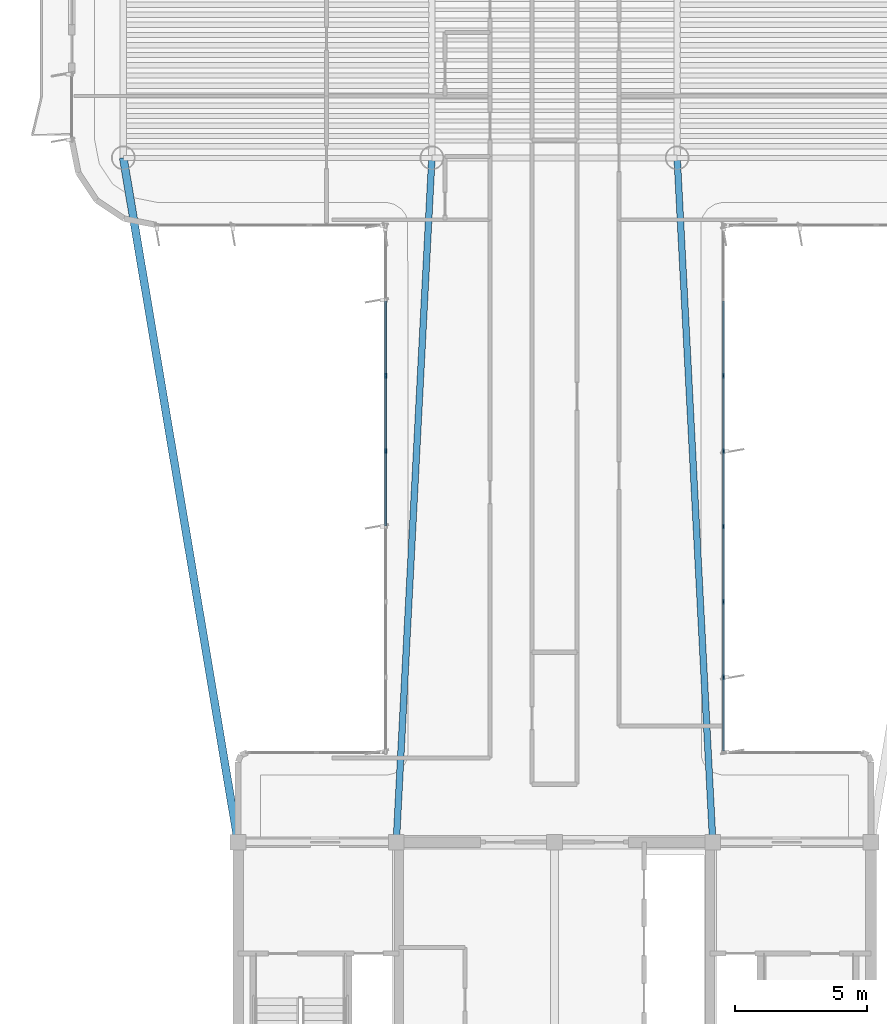
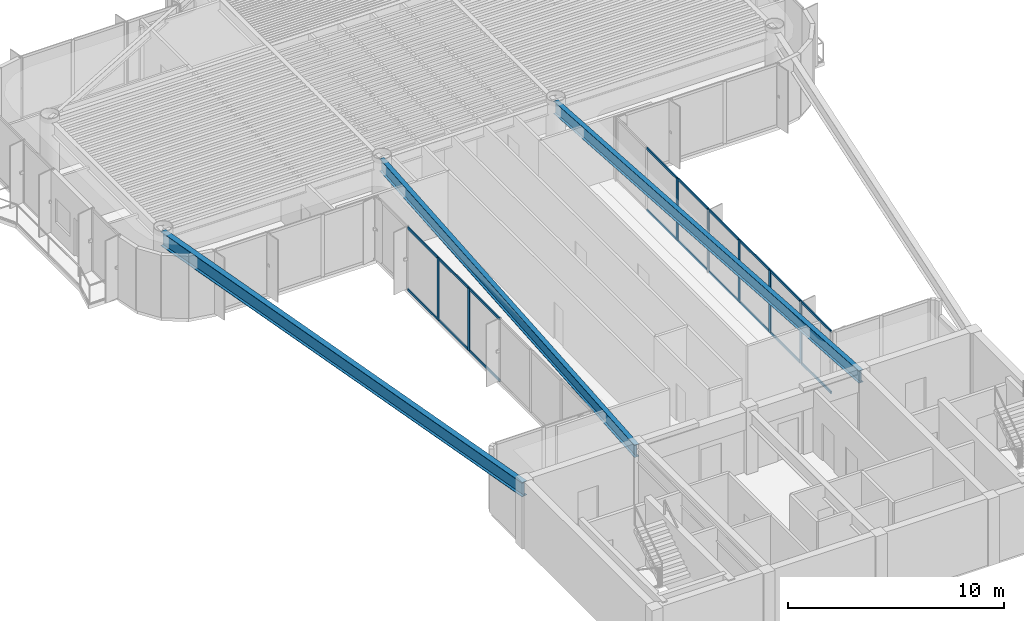
# One storey, part 3 of 15: 25 members, 3 beams, 2 elements without a shape of their own.
"""IFC4 building model written with IfcOpenShell, lengths in metres."""

from ifc_helpers import new_model, si_unit, direction, frame, origin, origin_2d, place, context, subcontext, project, spatial, rectangle, i_section, extrude, source, transform, mapped, material, layer, layer_set, material_profile, profile_set, type_object, element, aggregate, save


model = new_model("IFC4")

# Units and contexts
model_context = context("Model", 3, precision=1e-05, world=origin(), true_north=direction((0.0, 1.0)))
body_context = subcontext(model_context, "Body", "Model", "MODEL_VIEW")
ifc_project = project(units=[si_unit("LENGTHUNIT", "METRE"), si_unit("AREAUNIT", "SQUARE_METRE"), si_unit("VOLUMEUNIT", "CUBIC_METRE"), si_unit("PLANEANGLEUNIT", "RADIAN"), si_unit("MASSUNIT", "GRAM", prefix="KILO")], contexts=[model_context])

# Site, building, storey
site_placement = place(None, origin())
site = spatial("IfcSite", under=ifc_project, at=site_placement, CompositionType="ELEMENT")
building_placement = place(site_placement, origin())
building = spatial("IfcBuilding", under=site, at=building_placement, Name="Brelvock Crest Care Tower", CompositionType="ELEMENT")
storey_placement = place(building_placement, frame((0.0, 0.0, 260.820068359375)))
storey = spatial("IfcBuildingStorey", under=building, at=storey_placement, Name="L66", CompositionType="ELEMENT", Elevation=260.820068359375)

# Beams
ifc_material_1 = material(Name="Steel Grade 350", Category="steel")
ifc_material_profile_1 = material_profile(ifc_material_1, i_section(OverallWidth=0.25, OverallDepth=0.699951171875, WebThickness=0.011962890625, FlangeThickness=0.02001953125, at=origin_2d()), Name="700WB150")
ifc_profile_set_1 = profile_set([ifc_material_profile_1], Name="Steel Grade 350")
beam_type_1 = type_object("IfcBeamType", Name="BM-G4", PredefinedType="BEAM", material=ifc_profile_set_1)
shared_shape_1 = source(origin(), body_context, "Body", "SweptSolid", [
    extrude(i_section(OverallWidth=0.25, OverallDepth=0.699951171875, WebThickness=0.011962890625, FlangeThickness=0.02001953125, at=origin_2d()), origin(), (0.0, 0.0, 1.0), 25.985107421875),
])
for number, where, z_axis, x_axis, name in (
    (1, (30.0, 18.0, 3.179931640625), (0.051956711656, 0.998649337913, 0.0), (-0.998649337913, 0.051956711656, 0.0), "BM-THRW-L66"),
    (2, (42.0, 18.0, 3.179931640625), (-0.051956711656, 0.998649337913, 0.0), (-0.998649337913, -0.051956711656, 0.0), "BM-THRE-L66"),
):
    element("IfcBeam", number, at=place(storey_placement, frame(where, z_axis=z_axis, x_axis=x_axis)), inside=storey, type_object=beam_type_1, Name=name, PredefinedType="BEAM", context=body_context, shape_type="MappedRepresentation", body=[
        mapped(shared_shape_1, transform((0.0, 0.0, 0.0), x_axis=(1.0, 0.0, 0.0), y_axis=(0.0, 1.0, 0.0), z_axis=(0.0, 0.0, 1.0), scale=1.0)),
    ])
ifc_material_profile_2 = material_profile(ifc_material_1, i_section(OverallWidth=0.300048828125, OverallDepth=0.800048828125, WebThickness=0.013916015625, FlangeThickness=0.02197265625, at=origin_2d()), Name="800WB192")
ifc_profile_set_2 = profile_set([ifc_material_profile_2], Name="Steel Grade 350")
beam_type_2 = type_object("IfcBeamType", Name="BM-G5", PredefinedType="BEAM", material=ifc_profile_set_2)
shared_shape_2 = source(origin(), body_context, "Body", "SweptSolid", [
    extrude(i_section(OverallWidth=0.300048828125, OverallDepth=0.800048828125, WebThickness=0.013916015625, FlangeThickness=0.02197265625, at=origin_2d()), origin(), (0.0, 0.0, 1.0), 26.31201171875),
])
beam_placement = place(storey_placement, frame((24.0, 18.0, 3.1298828125), z_axis=(-0.165327282709, 0.986238758918, 0.0), x_axis=(-0.986238758918, -0.165327282709, 0.0)))
element("IfcBeam", 3, at=beam_placement, inside=storey, type_object=beam_type_2, Name="BM-THRO-W-L66", PredefinedType="BEAM", context=body_context, shape_type="MappedRepresentation", body=[
    mapped(shared_shape_2, transform((0.0, 0.0, 0.0), x_axis=(1.0, 0.0, 0.0), y_axis=(0.0, 1.0, 0.0), z_axis=(0.0, 0.0, 1.0), scale=1.0)),
])

# Curtain wall, members
ifc_material_2 = material(Name="Dark Glass Double Glazed Low-E", Category="glass")
ifc_layer = layer(ifc_material_2, 0.239990234375, Name="CWS-5")
ifc_layer_set = layer_set([ifc_layer], Name="Dark Glass Double Glazed Low-E")
curtain_wall_type = type_object("IfcCurtainWallType", Name="CWS-5", PredefinedType="NOTDEFINED", material=ifc_layer_set)
curtain_wall_1_placement = place(storey_placement, origin())
curtain_wall_1 = element("IfcCurtainWall", 4, at=curtain_wall_1_placement, inside=storey, type_object=curtain_wall_type, Name="L66 Curtain Wall E11", PredefinedType="NOTDEFINED")
ifc_material_3 = material(Name="Aluminium 6063-T6", Category="aluminium")
ifc_material_profile_3 = material_profile(ifc_material_3, rectangle(XDim=0.06005859375, YDim=0.179931640625, at=origin_2d()), Name="ALU60x180")
ifc_profile_set_3 = profile_set([ifc_material_profile_3], Name="Aluminium 6063-T6")
member_type_1 = type_object("IfcMemberType", Name="CWM-2", PredefinedType="MULLION", material=ifc_profile_set_3)
shared_shape_3 = source(origin(), body_context, "Body", "SweptSolid", [
    extrude(rectangle(XDim=0.06005859375, YDim=0.179931640625, at=origin_2d()), origin(), (0.0, 0.0, 1.0), 3.530029296875),
])
member_1_placement = place(storey_placement, frame((29.60009765625, 32.82861328125, 0.0), z_axis=(0.0, 0.0, 1.0), x_axis=(-1.0, 0.0, 0.0)))
member_1 = element("IfcMember", 5, at=member_1_placement, type_object=member_type_1, Name="CW-5 mullion 5", PredefinedType="MULLION", context=body_context, shape_type="MappedRepresentation", body=[
    mapped(shared_shape_3, transform((0.0, 0.0, 0.0), x_axis=(1.0, 0.0, 0.0), y_axis=(0.0, 1.0, 0.0), z_axis=(0.0, 0.0, 1.0), scale=1.0)),
])
member_2_placement = place(storey_placement, frame((29.60009765625, 35.685791015625, 0.0), z_axis=(0.0, 0.0, 1.0), x_axis=(-1.0, 0.0, 0.0)))
member_2 = element("IfcMember", 6, at=member_2_placement, type_object=member_type_1, Name="CW-5 mullion 6", PredefinedType="MULLION", context=body_context, shape_type="MappedRepresentation", body=[
    mapped(shared_shape_3, transform((0.0, 0.0, 0.0), x_axis=(1.0, 0.0, 0.0), y_axis=(0.0, 1.0, 0.0), z_axis=(0.0, 0.0, 1.0), scale=1.0)),
])

curtain_wall_2_placement = place(storey_placement, origin())
curtain_wall_2 = element("IfcCurtainWall", 7, at=curtain_wall_2_placement, inside=storey, type_object=curtain_wall_type, Name="L66 Curtain Wall E45", PredefinedType="NOTDEFINED")
member_3_placement = place(storey_placement, frame((42.39990234375, 35.685791015625, 0.0), z_axis=(0.0, 0.0, 1.0), x_axis=(1.0, 0.0, 0.0)))
member_3 = element("IfcMember", 8, at=member_3_placement, type_object=member_type_1, Name="CW-5 mullion 3", PredefinedType="MULLION", context=body_context, shape_type="MappedRepresentation", body=[
    mapped(shared_shape_3, transform((0.0, 0.0, 0.0), x_axis=(1.0, 0.0, 0.0), y_axis=(0.0, 1.0, 0.0), z_axis=(0.0, 0.0, 1.0), scale=1.0)),
])
member_4_placement = place(storey_placement, frame((42.39990234375, 32.82861328125, 0.0), z_axis=(0.0, 0.0, 1.0), x_axis=(1.0, 0.0, 0.0)))
member_4 = element("IfcMember", 9, at=member_4_placement, type_object=member_type_1, Name="CW-5 mullion 4", PredefinedType="MULLION", context=body_context, shape_type="MappedRepresentation", body=[
    mapped(shared_shape_3, transform((0.0, 0.0, 0.0), x_axis=(1.0, 0.0, 0.0), y_axis=(0.0, 1.0, 0.0), z_axis=(0.0, 0.0, 1.0), scale=1.0)),
])
member_5_placement = place(storey_placement, frame((42.39990234375, 29.971435546875, 0.0), z_axis=(0.0, 0.0, 1.0), x_axis=(1.0, 0.0, 0.0)))
member_5 = element("IfcMember", 10, at=member_5_placement, type_object=member_type_1, Name="CW-5 mullion 5", PredefinedType="MULLION", context=body_context, shape_type="MappedRepresentation", body=[
    mapped(shared_shape_3, transform((0.0, 0.0, 0.0), x_axis=(1.0, 0.0, 0.0), y_axis=(0.0, 1.0, 0.0), z_axis=(0.0, 0.0, 1.0), scale=1.0)),
])
member_6_placement = place(storey_placement, frame((42.39990234375, 27.1142578125, 0.0), z_axis=(0.0, 0.0, 1.0), x_axis=(1.0, 0.0, 0.0)))
member_6 = element("IfcMember", 11, at=member_6_placement, type_object=member_type_1, Name="CW-5 mullion 6", PredefinedType="MULLION", context=body_context, shape_type="MappedRepresentation", body=[
    mapped(shared_shape_3, transform((0.0, 0.0, 0.0), x_axis=(1.0, 0.0, 0.0), y_axis=(0.0, 1.0, 0.0), z_axis=(0.0, 0.0, 1.0), scale=1.0)),
])
member_7_placement = place(storey_placement, frame((42.39990234375, 24.257080078125, 0.0), z_axis=(0.0, 0.0, 1.0), x_axis=(1.0, 0.0, 0.0)))
member_7 = element("IfcMember", 12, at=member_7_placement, type_object=member_type_1, Name="CW-5 mullion 7", PredefinedType="MULLION", context=body_context, shape_type="MappedRepresentation", body=[
    mapped(shared_shape_3, transform((0.0, 0.0, 0.0), x_axis=(1.0, 0.0, 0.0), y_axis=(0.0, 1.0, 0.0), z_axis=(0.0, 0.0, 1.0), scale=1.0)),
])
ifc_material_profile_4 = material_profile(ifc_material_3, rectangle(XDim=0.06005859375, YDim=0.139892578125, at=origin_2d()), Name="ALU60x140")
ifc_profile_set_4 = profile_set([ifc_material_profile_4], Name="Aluminium 6063-T6")
member_type_2 = type_object("IfcMemberType", Name="CWT-2", PredefinedType="USERDEFINED", material=ifc_profile_set_4)
shared_shape_4 = source(origin(), body_context, "Body", "SweptSolid", [
    extrude(rectangle(XDim=0.06005859375, YDim=0.139892578125, at=origin_2d()), origin(), (0.0, 0.0, 1.0), 2.76708984375),
])
member_8_placement = place(storey_placement, frame((42.39990234375, 24.22705078125, 0.030029296875), z_axis=(0.0, -1.0, 0.0), x_axis=(1.0, 0.0, 0.0)))
member_8 = element("IfcMember", 13, at=member_8_placement, type_object=member_type_2, Name="CW-5 transom 7.1", ObjectType="TRANSOM", PredefinedType="USERDEFINED", context=body_context, shape_type="MappedRepresentation", body=[
    mapped(shared_shape_4, transform((0.0, 0.0, 0.0), x_axis=(1.0, 0.0, 0.0), y_axis=(0.0, 1.0, 0.0), z_axis=(0.0, 0.0, 1.0), scale=1.0)),
])
member_9_placement = place(storey_placement, frame((42.39990234375, 24.22705078125, 3.5), z_axis=(0.0, -1.0, 0.0), x_axis=(1.0, 0.0, 0.0)))
member_9 = element("IfcMember", 14, at=member_9_placement, type_object=member_type_2, Name="CW-5 transom 7.2", ObjectType="TRANSOM", PredefinedType="USERDEFINED", context=body_context, shape_type="MappedRepresentation", body=[
    mapped(shared_shape_4, transform((0.0, 0.0, 0.0), x_axis=(1.0, 0.0, 0.0), y_axis=(0.0, 1.0, 0.0), z_axis=(0.0, 0.0, 1.0), scale=1.0)),
])

# Member
shared_shape_5 = source(origin(), body_context, "Body", "SweptSolid", [
    extrude(rectangle(XDim=0.06005859375, YDim=0.139892578125, at=origin_2d()), origin(), (0.0, 0.0, 1.0), 2.797119140625),
])
member_10_placement = place(storey_placement, frame((29.60009765625, 30.00146484375, 0.030029296875), z_axis=(0.0, 1.0, 0.0), x_axis=(-1.0, 0.0, 0.0)))
member_10 = element("IfcMember", 15, at=member_10_placement, type_object=member_type_2, Name="CW-5 transom 4.1", ObjectType="TRANSOM", PredefinedType="USERDEFINED", context=body_context, shape_type="MappedRepresentation", body=[
    mapped(shared_shape_5, transform((0.0, 0.0, 0.0), x_axis=(1.0, 0.0, 0.0), y_axis=(0.0, 1.0, 0.0), z_axis=(0.0, 0.0, 1.0), scale=1.0)),
])

member_11_placement = place(storey_placement, frame((29.60009765625, 30.00146484375, 3.5), z_axis=(0.0, 1.0, 0.0), x_axis=(-1.0, 0.0, 0.0)))
member_11 = element("IfcMember", 16, at=member_11_placement, type_object=member_type_2, Name="CW-5 transom 4.2", ObjectType="TRANSOM", PredefinedType="USERDEFINED", context=body_context, shape_type="MappedRepresentation", body=[
    mapped(shared_shape_5, transform((0.0, 0.0, 0.0), x_axis=(1.0, 0.0, 0.0), y_axis=(0.0, 1.0, 0.0), z_axis=(0.0, 0.0, 1.0), scale=1.0)),
])

member_12_placement = place(storey_placement, frame((29.60009765625, 32.858642578125, 0.030029296875), z_axis=(0.0, 1.0, 0.0), x_axis=(-1.0, 0.0, 0.0)))
member_12 = element("IfcMember", 17, at=member_12_placement, type_object=member_type_2, Name="CW-5 transom 5.1", ObjectType="TRANSOM", PredefinedType="USERDEFINED", context=body_context, shape_type="MappedRepresentation", body=[
    mapped(shared_shape_5, transform((0.0, 0.0, 0.0), x_axis=(1.0, 0.0, 0.0), y_axis=(0.0, 1.0, 0.0), z_axis=(0.0, 0.0, 1.0), scale=1.0)),
])

member_13_placement = place(storey_placement, frame((29.60009765625, 32.858642578125, 3.5), z_axis=(0.0, 1.0, 0.0), x_axis=(-1.0, 0.0, 0.0)))
member_13 = element("IfcMember", 18, at=member_13_placement, type_object=member_type_2, Name="CW-5 transom 5.2", ObjectType="TRANSOM", PredefinedType="USERDEFINED", context=body_context, shape_type="MappedRepresentation", body=[
    mapped(shared_shape_5, transform((0.0, 0.0, 0.0), x_axis=(1.0, 0.0, 0.0), y_axis=(0.0, 1.0, 0.0), z_axis=(0.0, 0.0, 1.0), scale=1.0)),
])

member_14_placement = place(storey_placement, frame((29.60009765625, 35.7158203125, 0.030029296875), z_axis=(0.0, 1.0, 0.0), x_axis=(-1.0, 0.0, 0.0)))
member_14 = element("IfcMember", 19, at=member_14_placement, type_object=member_type_2, Name="CW-5 transom 6.1", ObjectType="TRANSOM", PredefinedType="USERDEFINED", context=body_context, shape_type="MappedRepresentation", body=[
    mapped(shared_shape_5, transform((0.0, 0.0, 0.0), x_axis=(1.0, 0.0, 0.0), y_axis=(0.0, 1.0, 0.0), z_axis=(0.0, 0.0, 1.0), scale=1.0)),
])

member_15_placement = place(storey_placement, frame((29.60009765625, 35.7158203125, 3.5), z_axis=(0.0, 1.0, 0.0), x_axis=(-1.0, 0.0, 0.0)))
member_15 = element("IfcMember", 20, at=member_15_placement, type_object=member_type_2, Name="CW-5 transom 6.2", ObjectType="TRANSOM", PredefinedType="USERDEFINED", context=body_context, shape_type="MappedRepresentation", body=[
    mapped(shared_shape_5, transform((0.0, 0.0, 0.0), x_axis=(1.0, 0.0, 0.0), y_axis=(0.0, 1.0, 0.0), z_axis=(0.0, 0.0, 1.0), scale=1.0)),
])

aggregate(curtain_wall_1, [member_1, member_2, member_10, member_11, member_12, member_13, member_14, member_15])

member_16_placement = place(storey_placement, frame((42.39990234375, 38.512939453125, 0.030029296875), z_axis=(0.0, -1.0, 0.0), x_axis=(1.0, 0.0, 0.0)))
member_16 = element("IfcMember", 21, at=member_16_placement, type_object=member_type_2, Name="CW-5 transom 2.1", ObjectType="TRANSOM", PredefinedType="USERDEFINED", context=body_context, shape_type="MappedRepresentation", body=[
    mapped(shared_shape_5, transform((0.0, 0.0, 0.0), x_axis=(1.0, 0.0, 0.0), y_axis=(0.0, 1.0, 0.0), z_axis=(0.0, 0.0, 1.0), scale=1.0)),
])

member_17_placement = place(storey_placement, frame((42.39990234375, 38.512939453125, 3.5), z_axis=(0.0, -1.0, 0.0), x_axis=(1.0, 0.0, 0.0)))
member_17 = element("IfcMember", 22, at=member_17_placement, type_object=member_type_2, Name="CW-5 transom 2.2", ObjectType="TRANSOM", PredefinedType="USERDEFINED", context=body_context, shape_type="MappedRepresentation", body=[
    mapped(shared_shape_5, transform((0.0, 0.0, 0.0), x_axis=(1.0, 0.0, 0.0), y_axis=(0.0, 1.0, 0.0), z_axis=(0.0, 0.0, 1.0), scale=1.0)),
])

member_18_placement = place(storey_placement, frame((42.39990234375, 35.65576171875, 0.030029296875), z_axis=(0.0, -1.0, 0.0), x_axis=(1.0, 0.0, 0.0)))
member_18 = element("IfcMember", 23, at=member_18_placement, type_object=member_type_2, Name="CW-5 transom 3.1", ObjectType="TRANSOM", PredefinedType="USERDEFINED", context=body_context, shape_type="MappedRepresentation", body=[
    mapped(shared_shape_5, transform((0.0, 0.0, 0.0), x_axis=(1.0, 0.0, 0.0), y_axis=(0.0, 1.0, 0.0), z_axis=(0.0, 0.0, 1.0), scale=1.0)),
])

member_19_placement = place(storey_placement, frame((42.39990234375, 35.65576171875, 3.5), z_axis=(0.0, -1.0, 0.0), x_axis=(1.0, 0.0, 0.0)))
member_19 = element("IfcMember", 24, at=member_19_placement, type_object=member_type_2, Name="CW-5 transom 3.2", ObjectType="TRANSOM", PredefinedType="USERDEFINED", context=body_context, shape_type="MappedRepresentation", body=[
    mapped(shared_shape_5, transform((0.0, 0.0, 0.0), x_axis=(1.0, 0.0, 0.0), y_axis=(0.0, 1.0, 0.0), z_axis=(0.0, 0.0, 1.0), scale=1.0)),
])

member_20_placement = place(storey_placement, frame((42.39990234375, 32.798583984375, 0.030029296875), z_axis=(0.0, -1.0, 0.0), x_axis=(1.0, 0.0, 0.0)))
member_20 = element("IfcMember", 25, at=member_20_placement, type_object=member_type_2, Name="CW-5 transom 4.1", ObjectType="TRANSOM", PredefinedType="USERDEFINED", context=body_context, shape_type="MappedRepresentation", body=[
    mapped(shared_shape_5, transform((0.0, 0.0, 0.0), x_axis=(1.0, 0.0, 0.0), y_axis=(0.0, 1.0, 0.0), z_axis=(0.0, 0.0, 1.0), scale=1.0)),
])

member_21_placement = place(storey_placement, frame((42.39990234375, 32.798583984375, 3.5), z_axis=(0.0, -1.0, 0.0), x_axis=(1.0, 0.0, 0.0)))
member_21 = element("IfcMember", 26, at=member_21_placement, type_object=member_type_2, Name="CW-5 transom 4.2", ObjectType="TRANSOM", PredefinedType="USERDEFINED", context=body_context, shape_type="MappedRepresentation", body=[
    mapped(shared_shape_5, transform((0.0, 0.0, 0.0), x_axis=(1.0, 0.0, 0.0), y_axis=(0.0, 1.0, 0.0), z_axis=(0.0, 0.0, 1.0), scale=1.0)),
])

member_22_placement = place(storey_placement, frame((42.39990234375, 29.94140625, 0.030029296875), z_axis=(0.0, -1.0, 0.0), x_axis=(1.0, 0.0, 0.0)))
member_22 = element("IfcMember", 27, at=member_22_placement, type_object=member_type_2, Name="CW-5 transom 5.1", ObjectType="TRANSOM", PredefinedType="USERDEFINED", context=body_context, shape_type="MappedRepresentation", body=[
    mapped(shared_shape_5, transform((0.0, 0.0, 0.0), x_axis=(1.0, 0.0, 0.0), y_axis=(0.0, 1.0, 0.0), z_axis=(0.0, 0.0, 1.0), scale=1.0)),
])

member_23_placement = place(storey_placement, frame((42.39990234375, 29.94140625, 3.5), z_axis=(0.0, -1.0, 0.0), x_axis=(1.0, 0.0, 0.0)))
member_23 = element("IfcMember", 28, at=member_23_placement, type_object=member_type_2, Name="CW-5 transom 5.2", ObjectType="TRANSOM", PredefinedType="USERDEFINED", context=body_context, shape_type="MappedRepresentation", body=[
    mapped(shared_shape_5, transform((0.0, 0.0, 0.0), x_axis=(1.0, 0.0, 0.0), y_axis=(0.0, 1.0, 0.0), z_axis=(0.0, 0.0, 1.0), scale=1.0)),
])

member_24_placement = place(storey_placement, frame((42.39990234375, 27.084228515625, 0.030029296875), z_axis=(0.0, -1.0, 0.0), x_axis=(1.0, 0.0, 0.0)))
member_24 = element("IfcMember", 29, at=member_24_placement, type_object=member_type_2, Name="CW-5 transom 6.1", ObjectType="TRANSOM", PredefinedType="USERDEFINED", context=body_context, shape_type="MappedRepresentation", body=[
    mapped(shared_shape_5, transform((0.0, 0.0, 0.0), x_axis=(1.0, 0.0, 0.0), y_axis=(0.0, 1.0, 0.0), z_axis=(0.0, 0.0, 1.0), scale=1.0)),
])

member_25_placement = place(storey_placement, frame((42.39990234375, 27.084228515625, 3.5), z_axis=(0.0, -1.0, 0.0), x_axis=(1.0, 0.0, 0.0)))
member_25 = element("IfcMember", 30, at=member_25_placement, type_object=member_type_2, Name="CW-5 transom 6.2", ObjectType="TRANSOM", PredefinedType="USERDEFINED", context=body_context, shape_type="MappedRepresentation", body=[
    mapped(shared_shape_5, transform((0.0, 0.0, 0.0), x_axis=(1.0, 0.0, 0.0), y_axis=(0.0, 1.0, 0.0), z_axis=(0.0, 0.0, 1.0), scale=1.0)),
])

aggregate(curtain_wall_2, [member_3, member_4, member_5, member_6, member_7, member_16, member_17, member_18, member_19, member_20, member_21, member_22, member_23, member_24, member_25, member_8, member_9])

save(model, "model.ifc")
